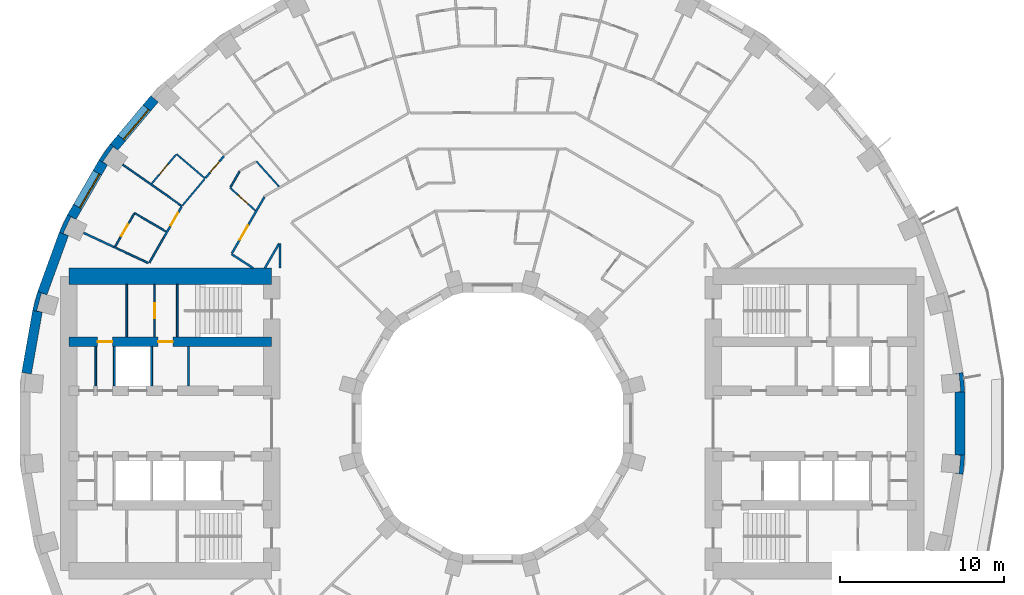
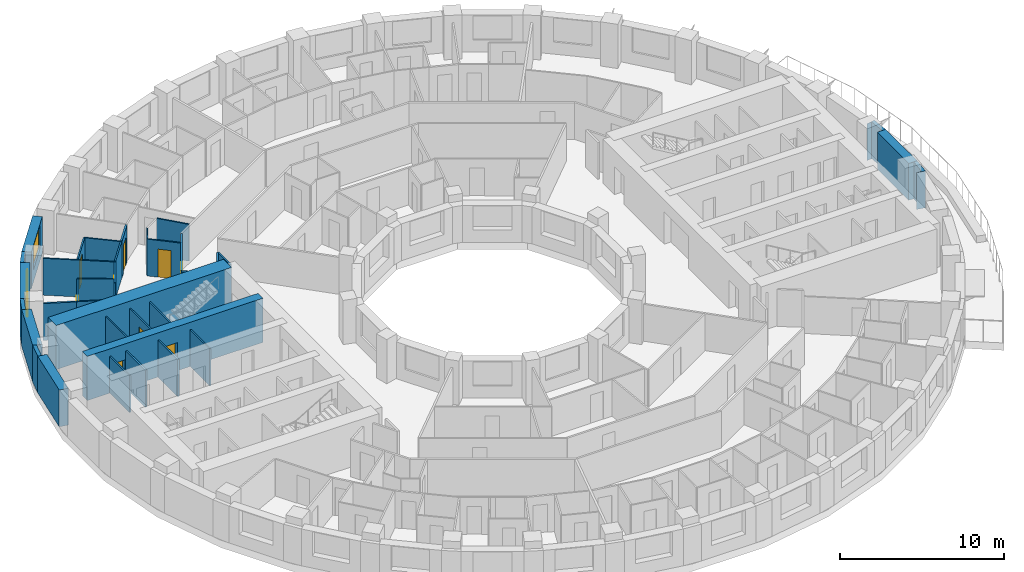
# One storey, part 8 of 14: 37 walls, 9 doors, 2 windows, 11 openings.
"""IFC4 building model written with IfcOpenShell, lengths in metres."""

from ifc_helpers import new_model, si_unit, direction, frame, frame_2d, origin, place, context, subcontext, project, spatial, polyline, rectangle, outline, extrude, material, layer, layer_set, type_object, element, fill, save


model = new_model("IFC4")

# Units and contexts
model_context = context("Model", 3, precision=1e-05, world=origin(), true_north=direction((0.0, 1.0)))
body_context = subcontext(model_context, "Body", "Model", "MODEL_VIEW")
ifc_project = project(units=[si_unit("LENGTHUNIT", "METRE"), si_unit("AREAUNIT", "SQUARE_METRE"), si_unit("VOLUMEUNIT", "CUBIC_METRE"), si_unit("PLANEANGLEUNIT", "RADIAN"), si_unit("MASSUNIT", "GRAM", prefix="KILO")], contexts=[model_context])

# Site, building, storey
site_placement = place(None, origin())
site = spatial("IfcSite", under=ifc_project, at=site_placement, CompositionType="ELEMENT")
building_placement = place(site_placement, origin())
building = spatial("IfcBuilding", under=site, at=building_placement, Name="Saqina Gate Tower", CompositionType="ELEMENT")
storey_placement = place(building_placement, frame((0.0, 0.0, 52.699951171875)))
storey = spatial("IfcBuildingStorey", under=building, at=storey_placement, Name="L14", CompositionType="ELEMENT", Elevation=52.699951171875)

# Walls
ifc_material_1 = material(Name="Brick masonry (red)", Category="masonry")
wall_type_1 = type_object("IfcWallType", Name="BRICK PIER COPING RED", PredefinedType="SOLIDWALL", material=ifc_material_1)
wall_1_placement = place(storey_placement, origin())
element("IfcWall", 1, at=wall_1_placement, inside=storey, type_object=wall_type_1, Name="Pier cap L14 column 1", PredefinedType="SOLIDWALL", context=body_context, shape_type="SweptSolid", body=[
    extrude(outline(polyline([(28.8896484375, 1.9228515625), (28.78466796875, 3.122802734375), (28.19384765625, 3.018798828125), (28.54296875, 3.04931640625), (28.638671875, 1.95361328125), (28.28955078125, 1.9228515625), (28.8896484375, 1.9228515625)])), origin(), (0.0, 0.0, 1.0), 2.75),
])
wall_2_placement = place(storey_placement, origin())
element("IfcWall", 2, at=wall_2_placement, inside=storey, type_object=wall_type_1, Name="Pier cap L14 column 15", PredefinedType="SOLIDWALL", context=body_context, shape_type="SweptSolid", body=[
    extrude(outline(polyline([(-23.36669921875, 17.096923828125), (-24.0576171875, 16.110107421875), (-23.5380859375, 15.81005859375), (-23.8251953125, 16.010986328125), (-23.194091796875, 16.912109375), (-22.9072265625, 16.711181640625), (-23.36669921875, 17.096923828125)])), origin(), (0.0, 0.0, 1.0), 2.75),
])
wall_3_placement = place(storey_placement, origin())
element("IfcWall", 3, at=wall_3_placement, inside=storey, type_object=wall_type_1, Name="Pier cap L14 column 16", PredefinedType="SOLIDWALL", context=body_context, shape_type="SweptSolid", body=[
    extrude(outline(polyline([(-26.48974609375, 11.687744140625), (-25.92578125, 11.482666015625), (-26.243408203125, 11.630615234375), (-25.778564453125, 12.627685546875), (-25.4609375, 12.4794921875), (-25.980712890625, 12.779541015625), (-26.48974609375, 11.687744140625)])), origin(), (0.0, 0.0, 1.0), 2.75),
])
wall_4_placement = place(storey_placement, origin())
element("IfcWall", 4, at=wall_4_placement, inside=storey, type_object=wall_type_1, Name="Pier cap L14 column 17", PredefinedType="SOLIDWALL", context=body_context, shape_type="SweptSolid", body=[
    extrude(outline(polyline([(-28.11669921875, 6.910400390625), (-27.52587890625, 6.80615234375), (-27.864501953125, 6.896728515625), (-27.57958984375, 7.95947265625), (-27.2412109375, 7.86865234375), (-27.80517578125, 8.073974609375), (-28.11669921875, 6.910400390625)])), origin(), (0.0, 0.0, 1.0), 2.75),
])
wall_5_placement = place(storey_placement, origin())
element("IfcWall", 5, at=wall_5_placement, inside=storey, type_object=wall_type_1, Name="Pier cap L14 column 36", PredefinedType="SOLIDWALL", context=body_context, shape_type="SweptSolid", body=[
    extrude(outline(polyline([(28.78466796875, -3.122802734375), (28.8896484375, -1.9228515625), (28.28955078125, -1.9228515625), (28.638671875, -1.95361328125), (28.54296875, -3.04931640625), (28.19384765625, -3.018798828125), (28.78466796875, -3.122802734375)])), origin(), (0.0, 0.0, 1.0), 2.75),
])
ifc_material_2 = material(Name="Gypsum board on steel studs", Category="steel")
ifc_layer_1 = layer(ifc_material_2, 0.10009765625)
ifc_layer_set_1 = layer_set([ifc_layer_1], Name="CORE PARTITION")
wall_type_2 = type_object("IfcWallType", Name="CORE PARTITION", PredefinedType="PARTITIONING", material=ifc_layer_set_1)
for number, where, z_axis, x_axis, name in (
    (6, (-18.582763671875, 2.300048828125, 0.0), (0.0, 0.0, 1.0), (0.0, 1.0, 0.0), "L14-CP-W01"),
    (7, (-24.260009765625, 2.300048828125, 0.0), (0.0, 0.0, 1.0), (0.0, 1.0, 0.0), "L14-CP-W04"),
):
    element("IfcWall", number, at=place(storey_placement, frame(where, z_axis=z_axis, x_axis=x_axis)), inside=storey, type_object=wall_type_2, Name=name, PredefinedType="PARTITIONING", context=body_context, shape_type="SweptSolid", body=[
        extrude(rectangle(XDim=2.39990234375, YDim=0.10009765625, at=frame_2d((1.199951171875, 0.0))), origin(), (0.0, 0.0, 1.0), 2.75),
    ])

# Wall, opening, door
wall_6_placement = place(storey_placement, frame((-20.65771484375, 5.300048828125, 0.0), z_axis=(0.0, 0.0, 1.0), x_axis=(0.0, 1.0, 0.0)))
wall_6 = element("IfcWall", 8, at=wall_6_placement, inside=storey, type_object=wall_type_2, Name="L14-CP-W12", PredefinedType="PARTITIONING", context=body_context, shape_type="SweptSolid", body=[
    extrude(rectangle(XDim=3.199951171875, YDim=0.10009765625, at=frame_2d((1.60009765625, 0.0))), origin(), (0.0, 0.0, 1.0), 2.75),
])
opening_1_placement = place(wall_6_placement, frame((1.14990234375, 0.0, 0.0)))
opening_1 = element("IfcOpeningElement", 9, at=opening_1_placement, cuts=wall_6, Name="Opening G03-D114", PredefinedType="OPENING", context=body_context, shape_type="SweptSolid", body=[
    extrude(rectangle(XDim=0.89990234375, YDim=2.10009765625, at=frame_2d((0.449951171875, 1.050048828125))), frame((0.0, 0.06201171875, 0.0), z_axis=(0.0, -1.0, 0.0), x_axis=(1.0, 0.0, 0.0)), (0.0, 0.0, 1.0), 0.1240234375),
])
ifc_material_3 = material(Name="Steel-framed fire door leaf, EI 60", Category="steel")
door_type_1 = type_object("IfcDoorType", Name="SERVICE ROOM DOOR 900", OperationType="SINGLE_SWING_LEFT", PredefinedType="DOOR", material=ifc_material_3)
door_1_placement = place(opening_1_placement, origin())
door_1 = element("IfcDoor", 10, at=door_1_placement, inside=storey, type_object=door_type_1, Name="L14-CD-W25", OperationType="SINGLE_SWING_LEFT", OverallHeight=2.10009765625, OverallWidth=0.89990234375, PredefinedType="DOOR", context=body_context, shape_type="SweptSolid", body=[
    extrude(rectangle(XDim=0.89990234375, YDim=2.10009765625, at=frame_2d((0.449951171875, 1.050048828125))), frame((0.0, 0.02490234375, 0.0), z_axis=(0.0, -1.0, 0.0), x_axis=(1.0, 0.0, 0.0)), (0.0, 0.0, 1.0), 0.050048828125),
])
fill(opening_1, door_1)

# Wall
wall_7_placement = place(storey_placement, frame((-22.360107421875, 5.300048828125, 0.0), z_axis=(0.0, 0.0, 1.0), x_axis=(0.0, 1.0, 0.0)))
element("IfcWall", 11, at=wall_7_placement, inside=storey, type_object=wall_type_2, Name="L14-CP-W13", PredefinedType="PARTITIONING", context=body_context, shape_type="SweptSolid", body=[
    extrude(rectangle(XDim=3.199951171875, YDim=0.10009765625, at=frame_2d((1.60009765625, 0.0))), origin(), (0.0, 0.0, 1.0), 2.75),
])

# Wall, opening, window
ifc_material_4 = material(Name="Brick masonry (red)", Category="masonry")
ifc_layer_2 = layer(ifc_material_4, 0.60009765625)
ifc_layer_set_2 = layer_set([ifc_layer_2], Name="FW-BRICK-RED")
wall_type_3 = type_object("IfcWallType", Name="FW-BRICK-RED", PredefinedType="SOLIDWALL", material=ifc_layer_set_2)
wall_8_placement = place(storey_placement, frame((-20.664794921875, 19.85009765625, 0.0), z_axis=(0.0, 0.0, 1.0), x_axis=(-0.642809392687, -0.766026164483, 0.0)))
wall_8 = element("IfcWall", 12, at=wall_8_placement, inside=storey, type_object=wall_type_3, Name="Facade wall L14 facet 14", PredefinedType="SOLIDWALL", context=body_context, shape_type="SweptSolid", body=[
    extrude(rectangle(XDim=3.845947265625, YDim=0.60009765625, at=frame_2d((1.9228515625, 0.0))), origin(), (0.0, 0.0, 1.0), 2.75),
])
opening_2_placement = place(wall_8_placement, frame((0.722900390625, 0.0, 0.89990234375)))
opening_2 = element("IfcOpeningElement", 13, at=opening_2_placement, cuts=wall_8, Name="Opening G03-W12", PredefinedType="OPENING", context=body_context, shape_type="SweptSolid", body=[
    extrude(rectangle(XDim=2.39990234375, YDim=1.800048828125, at=frame_2d((1.199951171875, 0.89990234375))), frame((0.0, 0.31201171875, 0.0), z_axis=(0.0, -1.0, 0.0), x_axis=(1.0, 0.0, 0.0)), (0.0, 0.0, 1.0), 0.6240234375),
])
ifc_material_5 = material(Name="Aluminium glazing", Category="aluminium")
window_type = type_object("IfcWindowType", Name="WN-A", PartitioningType="SINGLE_PANEL", PredefinedType="WINDOW", material=ifc_material_5)
window_1_placement = place(opening_2_placement, origin())
window_1 = element("IfcWindow", 14, at=window_1_placement, inside=storey, type_object=window_type, Name="Window L14 facet 14", OverallHeight=1.800048828125, OverallWidth=2.39990234375, PartitioningType="SINGLE_PANEL", PredefinedType="WINDOW", context=body_context, shape_type="SweptSolid", body=[
    extrude(rectangle(XDim=2.39990234375, YDim=1.800048828125, at=frame_2d((1.199951171875, 0.89990234375))), frame((0.0, 0.179931640625, 0.0), z_axis=(0.0, -1.0, 0.0), x_axis=(1.0, 0.0, 0.0)), (0.0, 0.0, 1.0), 0.06005859375),
])
fill(opening_2, window_1)

wall_9_placement = place(storey_placement, frame((-23.7978515625, 15.960205078125, 0.0), z_axis=(0.0, 0.0, 1.0), x_axis=(-0.499989888488, -0.86603124159, 0.0)))
wall_9 = element("IfcWall", 15, at=wall_9_placement, inside=storey, type_object=wall_type_3, Name="Facade wall L14 facet 15", PredefinedType="SOLIDWALL", context=body_context, shape_type="SweptSolid", body=[
    extrude(rectangle(XDim=3.845703125, YDim=0.60009765625, at=frame_2d((1.9228515625, 0.0))), origin(), (0.0, 0.0, 1.0), 2.75),
])
opening_3_placement = place(wall_9_placement, frame((0.722900390625, 0.0, 0.89990234375)))
opening_3 = element("IfcOpeningElement", 16, at=opening_3_placement, cuts=wall_9, Name="Opening G03-W13", PredefinedType="OPENING", context=body_context, shape_type="SweptSolid", body=[
    extrude(rectangle(XDim=2.39990234375, YDim=1.800048828125, at=frame_2d((1.199951171875, 0.89990234375))), frame((0.0, 0.31201171875, 0.0), z_axis=(0.0, -1.0, 0.0), x_axis=(1.0, 0.0, 0.0)), (0.0, 0.0, 1.0), 0.6240234375),
])
window_2_placement = place(opening_3_placement, origin())
window_2 = element("IfcWindow", 17, at=window_2_placement, inside=storey, type_object=window_type, Name="Window L14 facet 15", OverallHeight=1.800048828125, OverallWidth=2.39990234375, PartitioningType="SINGLE_PANEL", PredefinedType="WINDOW", context=body_context, shape_type="SweptSolid", body=[
    extrude(rectangle(XDim=2.39990234375, YDim=1.800048828125, at=frame_2d((1.199951171875, 0.89990234375))), frame((0.0, 0.179931640625, 0.0), z_axis=(0.0, -1.0, 0.0), x_axis=(1.0, 0.0, 0.0)), (0.0, 0.0, 1.0), 0.06005859375),
])
fill(opening_3, window_2)

# Walls
ifc_material_6 = material(Name="Glazed ceramic tile", Category="ceramic")
ifc_layer_3 = layer(ifc_material_6, 0.60009765625)
ifc_layer_set_3 = layer_set([ifc_layer_3], Name="FW-TILE")
wall_type_4 = type_object("IfcWallType", Name="FW-TILE", PredefinedType="SOLIDWALL", material=ifc_layer_set_3)
wall_10_placement = place(storey_placement, frame((-27.8212890625, 6.858154296875, 0.0), z_axis=(0.0, 0.0, 1.0), x_axis=(-0.173687553279, -0.984800809218, 0.0)))
element("IfcWall", 18, at=wall_10_placement, inside=storey, type_object=wall_type_4, Name="Facade wall L14 facet 17", PredefinedType="SOLIDWALL", context=body_context, shape_type="SweptSolid", body=[
    extrude(rectangle(XDim=3.845703125, YDim=0.60009765625, at=frame_2d((1.9228515625, 0.0))), origin(), (0.0, 0.0, 1.0), 2.75),
])
ifc_material_7 = material(Name="Glazed ceramic tile (dark blue)", Category="ceramic")
ifc_layer_4 = layer(ifc_material_7, 0.60009765625)
ifc_layer_set_4 = layer_set([ifc_layer_4], Name="FW-TILE-CB")
wall_type_5 = type_object("IfcWallType", Name="FW-TILE-CB", PredefinedType="SOLIDWALL", material=ifc_layer_set_4)
wall_11_placement = place(storey_placement, frame((-26.207763671875, 11.585205078125, 0.0), z_axis=(0.0, 0.0, 1.0), x_axis=(-0.342028474173, -0.939689588564, 0.0)))
element("IfcWall", 19, at=wall_11_placement, inside=storey, type_object=wall_type_5, Name="Facade wall L14 facet 16", PredefinedType="SOLIDWALL", context=body_context, shape_type="SweptSolid", body=[
    extrude(rectangle(XDim=3.845947265625, YDim=0.60009765625, at=frame_2d((1.9228515625, 0.0))), origin(), (0.0, 0.0, 1.0), 2.75),
])
wall_12_placement = place(storey_placement, frame((28.589599609375, -1.9228515625, 0.0), z_axis=(0.0, 0.0, 1.0), x_axis=(0.0, 1.0, 0.0)))
element("IfcWall", 20, at=wall_12_placement, inside=storey, type_object=wall_type_5, Name="Facade wall L14 facet 36", PredefinedType="SOLIDWALL", context=body_context, shape_type="SweptSolid", body=[
    extrude(rectangle(XDim=3.845703125, YDim=0.60009765625, at=frame_2d((1.9228515625, 0.0))), origin(), (0.0, 0.0, 1.0), 2.75),
])
ifc_material_8 = material(Name="Gypsum board on steel studs, 100 mm", Category="steel")
ifc_layer_5 = layer(ifc_material_8, 0.10009765625)
ifc_layer_set_5 = layer_set([ifc_layer_5], Name="PARTITION 100")
wall_type_6 = type_object("IfcWallType", Name="PARTITION 100", PredefinedType="PARTITIONING", material=ifc_layer_set_5)
wall_13_placement = place(storey_placement, frame((-14.43408203125, 16.030029296875, 0.0), z_axis=(0.0, 0.0, 1.0), x_axis=(0.669113598408, -0.743160139153, 0.0)))
element("IfcWall", 21, at=wall_13_placement, inside=storey, type_object=wall_type_6, Name="PARTITION PW3-32", PredefinedType="PARTITIONING", context=body_context, shape_type="SweptSolid", body=[
    extrude(rectangle(XDim=2.083740234375, YDim=0.10009765625, at=frame_2d((1.0419921875, 0.0))), origin(), (0.0, 0.0, 1.0), 2.75),
])

# Wall, opening, door
wall_14_placement = place(storey_placement, frame((-16.0419921875, 14.4130859375, 0.0), z_axis=(0.0, 0.0, 1.0), x_axis=(0.743835847678, -0.668362350608, 0.0)))
wall_14 = element("IfcWall", 22, at=wall_14_placement, inside=storey, type_object=wall_type_6, Name="PARTITION PW3-35", PredefinedType="PARTITIONING", context=body_context, shape_type="SweptSolid", body=[
    extrude(rectangle(XDim=2.083251953125, YDim=0.10009765625, at=frame_2d((1.04150390625, 0.0))), origin(), (0.0, 0.0, 1.0), 2.75),
])
opening_4_placement = place(wall_14_placement, frame((0.6728515625, 0.0, 0.0)))
opening_4 = element("IfcOpeningElement", 23, at=opening_4_placement, cuts=wall_14, Name="Opening G03-D34", PredefinedType="OPENING", context=body_context, shape_type="SweptSolid", body=[
    extrude(rectangle(XDim=0.800048828125, YDim=2.10009765625, at=frame_2d((0.39990234375, 1.050048828125))), frame((0.0, 0.06201171875, 0.0), z_axis=(0.0, -1.0, 0.0), x_axis=(1.0, 0.0, 0.0)), (0.0, 0.0, 1.0), 0.1240234375),
])
ifc_material_9 = material(Name="Timber door leaf, 800 mm", Category="wood")
door_type_2 = type_object("IfcDoorType", Name="DOOR 800 TIMBER", OperationType="SINGLE_SWING_LEFT", PredefinedType="DOOR", material=ifc_material_9)
door_2_placement = place(opening_4_placement, frame((0.800048828125, 0.0, 0.0), z_axis=(0.0, 0.0, 1.0), x_axis=(-1.0, 0.0, 0.0)))
door_2 = element("IfcDoor", 24, at=door_2_placement, inside=storey, type_object=door_type_2, Name="DOOR G03-D34", OperationType="SINGLE_SWING_LEFT", OverallHeight=2.10009765625, OverallWidth=0.800048828125, PredefinedType="DOOR", context=body_context, shape_type="SweptSolid", body=[
    extrude(rectangle(XDim=0.800048828125, YDim=2.10009765625, at=frame_2d((0.39990234375, 1.050048828125))), frame((0.0, 0.02490234375, 0.0), z_axis=(0.0, -1.0, 0.0), x_axis=(1.0, 0.0, 0.0)), (0.0, 0.0, 1.0), 0.050048828125),
])
fill(opening_4, door_2)

# Walls
wall_15_placement = place(storey_placement, frame((-19.319091796875, 16.47607421875, 0.0), z_axis=(0.0, 0.0, 1.0), x_axis=(0.760722977127, -0.649076691979, 0.0)))
element("IfcWall", 25, at=wall_15_placement, inside=storey, type_object=wall_type_6, Name="PARTITION PW3-36", PredefinedType="PARTITIONING", context=body_context, shape_type="SweptSolid", body=[
    extrude(rectangle(XDim=2.300537109375, YDim=0.10009765625, at=frame_2d((1.150390625, 0.0))), origin(), (0.0, 0.0, 1.0), 2.75),
])
wall_16_placement = place(storey_placement, frame((-22.597412109375, 15.829345703125, 0.0), z_axis=(0.0, 0.0, 1.0), x_axis=(0.818435722788, -0.57459809229, 0.0)))
element("IfcWall", 26, at=wall_16_placement, inside=storey, type_object=wall_type_6, Name="PARTITION PW3-41", PredefinedType="PARTITIONING", context=body_context, shape_type="SweptSolid", body=[
    extrude(rectangle(XDim=4.41259765625, YDim=0.10009765625, at=frame_2d((2.206298828125, 0.0))), origin(), (0.0, 0.0, 1.0), 2.75),
])
wall_17_placement = place(storey_placement, frame((-21.885986328125, 12.87109375, 0.0), z_axis=(0.0, 0.0, 1.0), x_axis=(0.861880909545, -0.507110735206, 0.0)))
element("IfcWall", 27, at=wall_17_placement, inside=storey, type_object=wall_type_6, Name="PARTITION PW3-43", PredefinedType="PARTITIONING", context=body_context, shape_type="SweptSolid", body=[
    extrude(rectangle(XDim=2.2373046875, YDim=0.10009765625, at=frame_2d((1.11865234375, 0.0))), origin(), (0.0, 0.0, 1.0), 2.75),
])
wall_18_placement = place(storey_placement, frame((-23.144287109375, 10.7919921875, 0.0), z_axis=(0.0, 0.0, 1.0), x_axis=(0.906334330548, -0.422561334329, 0.0)))
element("IfcWall", 28, at=wall_18_placement, inside=storey, type_object=wall_type_6, Name="PARTITION PW3-52", PredefinedType="PARTITIONING", context=body_context, shape_type="SweptSolid", body=[
    extrude(rectangle(XDim=2.309326171875, YDim=0.10009765625, at=frame_2d((1.15478515625, 0.0))), origin(), (0.0, 0.0, 1.0), 2.75),
])
wall_19_placement = place(storey_placement, frame((-18.953857421875, 13.332275390625, 0.0), z_axis=(0.0, 0.0, 1.0), x_axis=(0.642759429892, 0.766068087891, 0.0)))
element("IfcWall", 29, at=wall_19_placement, inside=storey, type_object=wall_type_6, Name="PARTITION PW3-103", PredefinedType="PARTITIONING", context=body_context, shape_type="SweptSolid", body=[
    extrude(rectangle(XDim=2.104736328125, YDim=0.10009765625, at=frame_2d((1.05224609375, 0.0))), origin(), (0.0, 0.0, 1.0), 2.75),
])

# Wall, opening, door
wall_20_placement = place(storey_placement, frame((-20.844970703125, 14.6572265625, 0.0), z_axis=(0.0, 0.0, 1.0), x_axis=(0.642753483788, 0.766073076853, 0.0)))
wall_20 = element("IfcWall", 30, at=wall_20_placement, inside=storey, type_object=wall_type_6, Name="PARTITION PW3-104", PredefinedType="PARTITIONING", context=body_context, shape_type="SweptSolid", body=[
    extrude(rectangle(XDim=2.32421875, YDim=0.10009765625, at=frame_2d((1.162109375, 0.0))), origin(), (0.0, 0.0, 1.0), 2.75),
])
opening_5_placement = place(wall_20_placement, frame((0.761962890625, 0.0, 0.0)))
opening_5 = element("IfcOpeningElement", 31, at=opening_5_placement, cuts=wall_20, Name="Opening G03-D35", PredefinedType="OPENING", context=body_context, shape_type="SweptSolid", body=[
    extrude(rectangle(XDim=0.800048828125, YDim=2.10009765625, at=frame_2d((0.39990234375, 1.050048828125))), frame((0.0, 0.06201171875, 0.0), z_axis=(0.0, -1.0, 0.0), x_axis=(1.0, 0.0, 0.0)), (0.0, 0.0, 1.0), 0.1240234375),
])
door_3_placement = place(opening_5_placement, origin())
door_3 = element("IfcDoor", 32, at=door_3_placement, inside=storey, type_object=door_type_2, Name="DOOR G03-D35", OperationType="SINGLE_SWING_LEFT", OverallHeight=2.10009765625, OverallWidth=0.800048828125, PredefinedType="DOOR", context=body_context, shape_type="SweptSolid", body=[
    extrude(rectangle(XDim=0.800048828125, YDim=2.10009765625, at=frame_2d((0.39990234375, 1.050048828125))), frame((0.0, 0.02490234375, 0.0), z_axis=(0.0, -1.0, 0.0), x_axis=(1.0, 0.0, 0.0)), (0.0, 0.0, 1.0), 0.050048828125),
])
fill(opening_5, door_3)

# Walls
wall_21_placement = place(storey_placement, frame((-16.01708984375, 14.456298828125, 0.0), z_axis=(0.0, 0.0, 1.0), x_axis=(0.499864305946, 0.86610373261, 0.0)))
element("IfcWall", 33, at=wall_21_placement, inside=storey, type_object=wall_type_6, Name="PARTITION PW3-108", PredefinedType="PARTITIONING", context=body_context, shape_type="SweptSolid", body=[
    extrude(rectangle(XDim=1.092529296875, YDim=0.10009765625, at=frame_2d((0.54638671875, 0.0))), origin(), (0.0, 0.0, 1.0), 2.75),
])
wall_22_placement = place(storey_placement, frame((-20.98095703125, 9.83837890625, 0.0), z_axis=(0.0, 0.0, 1.0), x_axis=(0.49973828311, 0.866176453382, 0.0)))
element("IfcWall", 34, at=wall_22_placement, inside=storey, type_object=wall_type_6, Name="PARTITION PW3-109", PredefinedType="PARTITIONING", context=body_context, shape_type="SweptSolid", body=[
    extrude(rectangle(XDim=1.7802734375, YDim=0.10009765625, at=frame_2d((0.89013671875, 0.0))), origin(), (0.0, 0.0, 1.0), 2.75),
])

# Wall, opening, door
wall_23_placement = place(storey_placement, frame((-23.07275390625, 10.816162109375, 0.0), z_axis=(0.0, 0.0, 1.0), x_axis=(0.500174283544, 0.865924757748, 0.0)))
wall_23 = element("IfcWall", 35, at=wall_23_placement, inside=storey, type_object=wall_type_6, Name="PARTITION PW3-110", PredefinedType="PARTITIONING", context=body_context, shape_type="SweptSolid", body=[
    extrude(rectangle(XDim=2.322998046875, YDim=0.10009765625, at=frame_2d((1.16162109375, 0.0))), origin(), (0.0, 0.0, 1.0), 2.75),
])
opening_6_placement = place(wall_23_placement, frame((0.76025390625, 0.0, 0.0)))
opening_6 = element("IfcOpeningElement", 36, at=opening_6_placement, cuts=wall_23, Name="Opening G03-D38", PredefinedType="OPENING", context=body_context, shape_type="SweptSolid", body=[
    extrude(rectangle(XDim=0.800048828125, YDim=2.10009765625, at=frame_2d((0.39990234375, 1.050048828125))), frame((0.0, 0.06201171875, 0.0), z_axis=(0.0, -1.0, 0.0), x_axis=(1.0, 0.0, 0.0)), (0.0, 0.0, 1.0), 0.1240234375),
])
door_4_placement = place(opening_6_placement, origin())
door_4 = element("IfcDoor", 37, at=door_4_placement, inside=storey, type_object=door_type_2, Name="DOOR G03-D38", OperationType="SINGLE_SWING_LEFT", OverallHeight=2.10009765625, OverallWidth=0.800048828125, PredefinedType="DOOR", context=body_context, shape_type="SweptSolid", body=[
    extrude(rectangle(XDim=0.800048828125, YDim=2.10009765625, at=frame_2d((0.39990234375, 1.050048828125))), frame((0.0, 0.02490234375, 0.0), z_axis=(0.0, -1.0, 0.0), x_axis=(1.0, 0.0, 0.0)), (0.0, 0.0, 1.0), 0.050048828125),
])
fill(opening_6, door_4)

# Walls
ifc_material_10 = material(Name="Gypsum board on steel studs, 125 mm, fire rated", Category="steel")
ifc_layer_6 = layer(ifc_material_10, 0.125)
ifc_layer_set_6 = layer_set([ifc_layer_6], Name="PARTITION EI 30 125")
wall_type_7 = type_object("IfcWallType", Name="PARTITION EI 30 125", PredefinedType="PARTITIONING", material=ifc_layer_set_6)
wall_24_placement = place(storey_placement, frame((-15.95703125, 10.362060546875, 0.0), z_axis=(0.0, 0.0, 1.0), x_axis=(0.838795721465, -0.544446267002, 0.0)))
element("IfcWall", 38, at=wall_24_placement, inside=storey, type_object=wall_type_7, Name="PARTITION PW1-10", PredefinedType="PARTITIONING", context=body_context, shape_type="SweptSolid", body=[
    extrude(rectangle(XDim=1.583251953125, YDim=0.125, at=frame_2d((0.79150390625, 0.0))), origin(), (0.0, 0.0, 1.0), 2.75),
])
wall_25_placement = place(storey_placement, frame((-25.005126953125, 11.65966796875, 0.0), z_axis=(0.0, 0.0, 1.0), x_axis=(0.906316757735, -0.422599023483, 0.0)))
element("IfcWall", 39, at=wall_25_placement, inside=storey, type_object=wall_type_7, Name="PARTITION PW1-19", PredefinedType="PARTITIONING", context=body_context, shape_type="SweptSolid", body=[
    extrude(rectangle(XDim=2.05322265625, YDim=0.125, at=frame_2d((1.026611328125, 0.0))), origin(), (0.0, 0.0, 1.0), 2.75),
])

# Wall, opening, door
wall_26_placement = place(storey_placement, frame((-17.536865234375, 15.021240234375, 0.0), z_axis=(0.0, 0.0, 1.0), x_axis=(0.642878617967, 0.765968068891, 0.0)))
wall_26 = element("IfcWall", 40, at=wall_26_placement, inside=storey, type_object=wall_type_7, Name="PARTITION PW1-50", PredefinedType="PARTITIONING", context=body_context, shape_type="SweptSolid", body=[
    extrude(rectangle(XDim=1.735595703125, YDim=0.125, at=frame_2d((0.86767578125, 0.0))), origin(), (0.0, 0.0, 1.0), 2.75),
])
opening_7_placement = place(wall_26_placement, frame((0.417724609375, 0.0, 0.0)))
opening_7 = element("IfcOpeningElement", 41, at=opening_7_placement, cuts=wall_26, Name="Opening G03-D33", PredefinedType="OPENING", context=body_context, shape_type="SweptSolid", body=[
    extrude(rectangle(XDim=0.89990234375, YDim=2.10009765625, at=frame_2d((0.449951171875, 1.050048828125))), frame((0.0, 0.074462890625, 0.0), z_axis=(0.0, -1.0, 0.0), x_axis=(1.0, 0.0, 0.0)), (0.0, 0.0, 1.0), 0.14892578125),
])
ifc_material_11 = material(Name="Fire door leaf EI 30, 900 mm")
door_type_3 = type_object("IfcDoorType", Name="DOOR 900 EI 30", OperationType="SINGLE_SWING_LEFT", PredefinedType="DOOR", material=ifc_material_11)
door_5_placement = place(opening_7_placement, frame((0.89990234375, 0.0, 0.0), z_axis=(0.0, 0.0, 1.0), x_axis=(-1.0, 0.0, 0.0)))
door_5 = element("IfcDoor", 42, at=door_5_placement, inside=storey, type_object=door_type_3, Name="DOOR G03-D33", OperationType="SINGLE_SWING_LEFT", OverallHeight=2.10009765625, OverallWidth=0.89990234375, PredefinedType="DOOR", context=body_context, shape_type="SweptSolid", body=[
    extrude(rectangle(XDim=0.89990234375, YDim=2.10009765625, at=frame_2d((0.449951171875, 1.050048828125))), frame((0.0, 0.02490234375, 0.0), z_axis=(0.0, -1.0, 0.0), x_axis=(1.0, 0.0, 0.0)), (0.0, 0.0, 1.0), 0.050048828125),
])
fill(opening_7, door_5)

# Wall
wall_27_placement = place(storey_placement, frame((-13.9140625, 9.5, 0.0), z_axis=(0.0, 0.0, 1.0), x_axis=(0.500066958712, 0.865986741702, 0.0)))
element("IfcWall", 43, at=wall_27_placement, inside=storey, type_object=wall_type_7, Name="PARTITION PW1-53", PredefinedType="PARTITIONING", context=body_context, shape_type="SweptSolid", body=[
    extrude(rectangle(XDim=1.738037109375, YDim=0.125, at=frame_2d((0.869140625, 0.0))), origin(), (0.0, 0.0, 1.0), 2.75),
])

# Wall, opening, door
wall_28_placement = place(storey_placement, frame((-15.92578125, 10.416015625, 0.0), z_axis=(0.0, 0.0, 1.0), x_axis=(0.500020477838, 0.866013580576, 0.0)))
wall_28 = element("IfcWall", 44, at=wall_28_placement, inside=storey, type_object=wall_type_7, Name="PARTITION PW1-54", PredefinedType="PARTITIONING", context=body_context, shape_type="SweptSolid", body=[
    extrude(rectangle(XDim=3.970947265625, YDim=0.125, at=frame_2d((1.9853515625, 0.0))), origin(), (0.0, 0.0, 1.0), 2.75),
])
opening_8_placement = place(wall_28_placement, frame((0.948486328125, 0.0, 0.0)))
opening_8 = element("IfcOpeningElement", 45, at=opening_8_placement, cuts=wall_28, Name="Opening G03-D36", PredefinedType="OPENING", context=body_context, shape_type="SweptSolid", body=[
    extrude(rectangle(XDim=1.0, YDim=2.10009765625, at=frame_2d((0.5, 1.050048828125))), frame((0.0, 0.074462890625, 0.0), z_axis=(0.0, -1.0, 0.0), x_axis=(1.0, 0.0, 0.0)), (0.0, 0.0, 1.0), 0.14892578125),
])
ifc_material_12 = material(Name="Fire door leaf EI 30, 1000 mm")
door_type_4 = type_object("IfcDoorType", Name="DOOR 1000 EI 30", OperationType="SINGLE_SWING_LEFT", PredefinedType="DOOR", material=ifc_material_12)
door_6_placement = place(opening_8_placement, origin())
door_6 = element("IfcDoor", 46, at=door_6_placement, inside=storey, type_object=door_type_4, Name="DOOR G03-D36", OperationType="SINGLE_SWING_LEFT", OverallHeight=2.10009765625, OverallWidth=1.0, PredefinedType="DOOR", context=body_context, shape_type="SweptSolid", body=[
    extrude(rectangle(XDim=1.0, YDim=2.10009765625, at=frame_2d((0.5, 1.050048828125))), frame((0.0, 0.02490234375, 0.0), z_axis=(0.0, -1.0, 0.0), x_axis=(1.0, 0.0, 0.0)), (0.0, 0.0, 1.0), 0.050048828125),
])
fill(opening_8, door_6)

wall_29_placement = place(storey_placement, frame((-20.09130859375, 11.38037109375, 0.0), z_axis=(0.0, 0.0, 1.0), x_axis=(0.500296430081, 0.865854192141, 0.0)))
wall_29 = element("IfcWall", 47, at=wall_29_placement, inside=storey, type_object=wall_type_7, Name="PARTITION PW1-55", PredefinedType="PARTITIONING", context=body_context, shape_type="SweptSolid", body=[
    extrude(rectangle(XDim=2.159912109375, YDim=0.125, at=frame_2d((1.080078125, 0.0))), origin(), (0.0, 0.0, 1.0), 2.75),
])
opening_9_placement = place(wall_29_placement, frame((0.84228515625, 0.0, 0.0)))
opening_9 = element("IfcOpeningElement", 48, at=opening_9_placement, cuts=wall_29, Name="Opening G03-D37", PredefinedType="OPENING", context=body_context, shape_type="SweptSolid", body=[
    extrude(rectangle(XDim=0.89990234375, YDim=2.10009765625, at=frame_2d((0.449951171875, 1.050048828125))), frame((0.0, 0.074462890625, 0.0), z_axis=(0.0, -1.0, 0.0), x_axis=(1.0, 0.0, 0.0)), (0.0, 0.0, 1.0), 0.14892578125),
])
door_7_placement = place(opening_9_placement, frame((0.89990234375, 0.0, 0.0), z_axis=(0.0, 0.0, 1.0), x_axis=(-1.0, 0.0, 0.0)))
door_7 = element("IfcDoor", 49, at=door_7_placement, inside=storey, type_object=door_type_3, Name="DOOR G03-D37", OperationType="SINGLE_SWING_LEFT", OverallHeight=2.10009765625, OverallWidth=0.89990234375, PredefinedType="DOOR", context=body_context, shape_type="SweptSolid", body=[
    extrude(rectangle(XDim=0.89990234375, YDim=2.10009765625, at=frame_2d((0.449951171875, 1.050048828125))), frame((0.0, 0.02490234375, 0.0), z_axis=(0.0, -1.0, 0.0), x_axis=(1.0, 0.0, 0.0)), (0.0, 0.0, 1.0), 0.050048828125),
])
fill(opening_9, door_7)

# Walls
wall_30_placement = place(storey_placement, frame((-13.0, 9.5, 0.0), z_axis=(0.0, 0.0, 1.0), x_axis=(0.0, 1.0, 0.0)))
element("IfcWall", 50, at=wall_30_placement, inside=storey, type_object=wall_type_7, Name="PARTITION PW1-59", PredefinedType="PARTITIONING", context=body_context, shape_type="SweptSolid", body=[
    extrude(rectangle(XDim=1.5205078125, YDim=0.125, at=frame_2d((0.76025390625, 0.0))), origin(), (0.0, 0.0, 1.0), 2.75),
])
ifc_material_13 = material(Name="Autoclaved aerated concrete block", Category="concrete")
ifc_layer_7 = layer(ifc_material_13, 0.1201171875)
ifc_layer_set_7 = layer_set([ifc_layer_7], Name="SHAFT PARTITION")
wall_type_8 = type_object("IfcWallType", Name="SHAFT PARTITION", PredefinedType="PARTITIONING", material=ifc_layer_set_7)
for number, where, z_axis, x_axis, name in (
    (51, (-20.840087890625, 2.300048828125, 0.0), (0.0, 0.0, 1.0), (0.0, 1.0, 0.0), "L14-CP-W02"),
    (52, (-23.1201171875, 2.300048828125, 0.0), (0.0, 0.0, 1.0), (0.0, 1.0, 0.0), "L14-CP-W03"),
):
    element("IfcWall", number, at=place(storey_placement, frame(where, z_axis=z_axis, x_axis=x_axis)), inside=storey, type_object=wall_type_8, Name=name, PredefinedType="PARTITIONING", context=body_context, shape_type="SweptSolid", body=[
        extrude(rectangle(XDim=2.39990234375, YDim=0.1201171875, at=frame_2d((1.199951171875, 0.0))), origin(), (0.0, 0.0, 1.0), 2.75),
    ])
ifc_material_14 = material(Name="Autoclaved aerated concrete block", Category="concrete")
ifc_layer_8 = layer(ifc_material_14, 0.10009765625)
ifc_layer_set_8 = layer_set([ifc_layer_8], Name="STAIR ENCLOSURE WALL")
wall_type_9 = type_object("IfcWallType", Name="STAIR ENCLOSURE WALL", PredefinedType="PARTITIONING", material=ifc_layer_set_8)
wall_31_placement = place(storey_placement, frame((-19.27001953125, 5.300048828125, 0.0), z_axis=(0.0, 0.0, 1.0), x_axis=(0.0, 1.0, 0.0)))
element("IfcWall", 53, at=wall_31_placement, inside=storey, type_object=wall_type_9, Name="L14-CP-W11", PredefinedType="PARTITIONING", context=body_context, shape_type="SweptSolid", body=[
    extrude(rectangle(XDim=3.199951171875, YDim=0.10009765625, at=frame_2d((1.60009765625, 0.0))), origin(), (0.0, 0.0, 1.0), 2.75),
])

# Wall, openings, doors
ifc_material_15 = material(Name="Concrete C70/85", Category="concrete")
ifc_layer_9 = layer(ifc_material_15, 0.60009765625)
ifc_layer_set_9 = layer_set([ifc_layer_9], Name="Concrete C70/85")
wall_type_10 = type_object("IfcWallType", Name="STR-CORE WALL-A-I", PredefinedType="SHEAR", material=ifc_layer_set_9)
wall_32_placement = place(storey_placement, frame((-13.5, 5.0, 0.0), z_axis=(0.0, 0.0, 1.0), x_axis=(-1.0, 0.0, 0.0)))
wall_32 = element("IfcWall", 54, at=wall_32_placement, inside=storey, type_object=wall_type_10, Name="CORE WALL L14 W-X1", PredefinedType="SHEAR", context=body_context, shape_type="SweptSolid", body=[
    extrude(rectangle(XDim=12.39990234375, YDim=0.60009765625, at=frame_2d((6.199951171875, 0.0))), origin(), (0.0, 0.0, 1.0), 3.300048828125),
])
opening_10_placement = place(wall_32_placement, frame((6.038818359375, 0.0, 0.0)))
opening_10 = element("IfcOpeningElement", 55, at=opening_10_placement, cuts=wall_32, Name="Opening G03-D115", PredefinedType="OPENING", context=body_context, shape_type="SweptSolid", body=[
    extrude(rectangle(XDim=0.89990234375, YDim=2.10009765625, at=frame_2d((0.449951171875, 1.050048828125))), frame((0.0, 0.31201171875, 0.0), z_axis=(0.0, -1.0, 0.0), x_axis=(1.0, 0.0, 0.0)), (0.0, 0.0, 1.0), 0.6240234375),
])
opening_11_placement = place(wall_32_placement, frame((9.739990234375, 0.0, 0.0)))
opening_11 = element("IfcOpeningElement", 56, at=opening_11_placement, cuts=wall_32, Name="Opening G03-D116", PredefinedType="OPENING", context=body_context, shape_type="SweptSolid", body=[
    extrude(rectangle(XDim=0.89990234375, YDim=2.10009765625, at=frame_2d((0.449951171875, 1.050048828125))), frame((0.0, 0.31201171875, 0.0), z_axis=(0.0, -1.0, 0.0), x_axis=(1.0, 0.0, 0.0)), (0.0, 0.0, 1.0), 0.6240234375),
])
door_8_placement = place(opening_10_placement, origin())
door_8 = element("IfcDoor", 57, at=door_8_placement, inside=storey, type_object=door_type_1, Name="L14-CD-W26", OperationType="SINGLE_SWING_RIGHT", OverallHeight=2.10009765625, OverallWidth=0.89990234375, PredefinedType="DOOR", context=body_context, shape_type="SweptSolid", body=[
    extrude(rectangle(XDim=0.89990234375, YDim=2.10009765625, at=frame_2d((0.449951171875, 1.050048828125))), frame((0.0, 0.02490234375, 0.0), z_axis=(0.0, -1.0, 0.0), x_axis=(1.0, 0.0, 0.0)), (0.0, 0.0, 1.0), 0.050048828125),
])
fill(opening_10, door_8)
door_9_placement = place(opening_11_placement, frame((0.89990234375, 0.0, 0.0), z_axis=(0.0, 0.0, 1.0), x_axis=(-1.0, 0.0, 0.0)))
door_9 = element("IfcDoor", 58, at=door_9_placement, inside=storey, type_object=door_type_1, Name="L14-CD-W27", OperationType="SINGLE_SWING_LEFT", OverallHeight=2.10009765625, OverallWidth=0.89990234375, PredefinedType="DOOR", context=body_context, shape_type="SweptSolid", body=[
    extrude(rectangle(XDim=0.89990234375, YDim=2.10009765625, at=frame_2d((0.449951171875, 1.050048828125))), frame((0.0, 0.02490234375, 0.0), z_axis=(0.0, -1.0, 0.0), x_axis=(1.0, 0.0, 0.0)), (0.0, 0.0, 1.0), 0.050048828125),
])
fill(opening_11, door_9)

# Wall
ifc_material_16 = material(Name="Concrete C70/85", Category="concrete")
ifc_layer_10 = layer(ifc_material_16, 1.0)
ifc_layer_set_10 = layer_set([ifc_layer_10], Name="Concrete C70/85")
wall_type_11 = type_object("IfcWallType", Name="STR-CORE WALL-A-O", PredefinedType="SHEAR", material=ifc_layer_set_10)
wall_33_placement = place(storey_placement, frame((-13.5, 9.0, 0.0), z_axis=(0.0, 0.0, 1.0), x_axis=(-1.0, 0.0, 0.0)))
element("IfcWall", 59, at=wall_33_placement, inside=storey, type_object=wall_type_11, Name="CORE WALL L14 W-NE", PredefinedType="SHEAR", context=body_context, shape_type="SweptSolid", body=[
    extrude(rectangle(XDim=12.39990234375, YDim=1.0, at=frame_2d((6.199951171875, 0.0))), origin(), (0.0, 0.0, 1.0), 3.300048828125),
])

save(model, "model.ifc")
